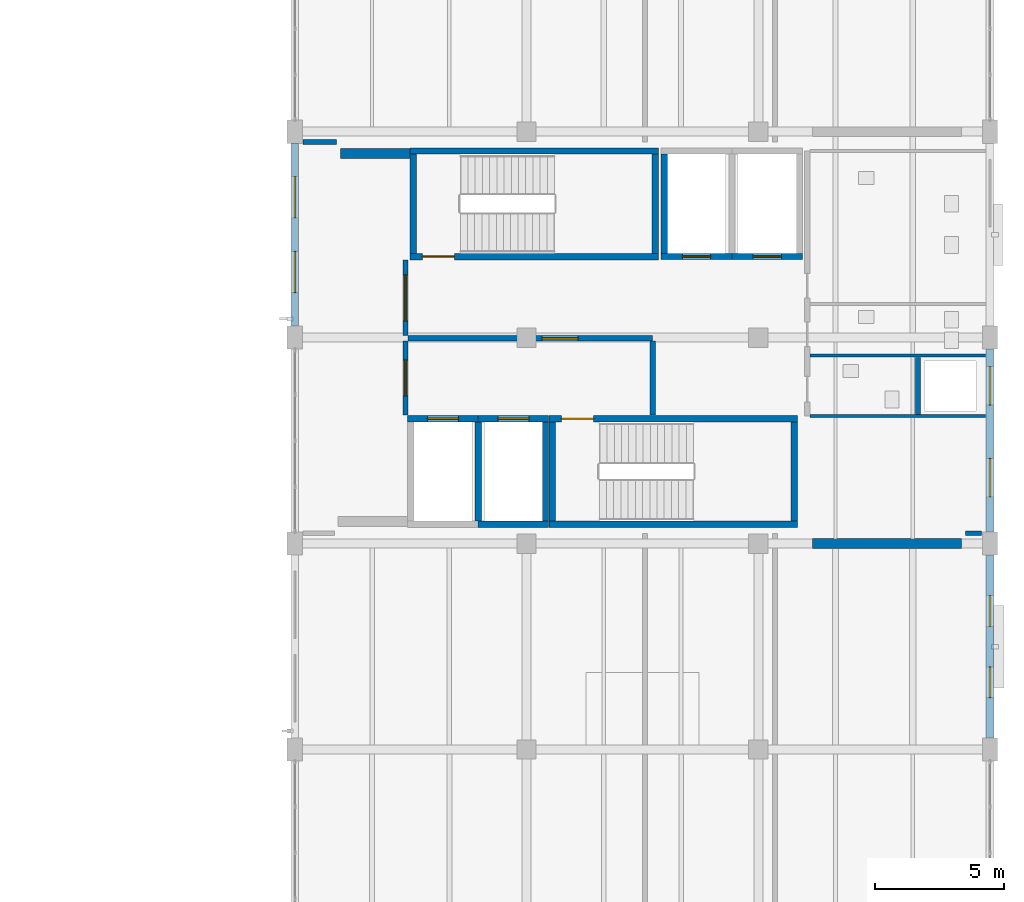
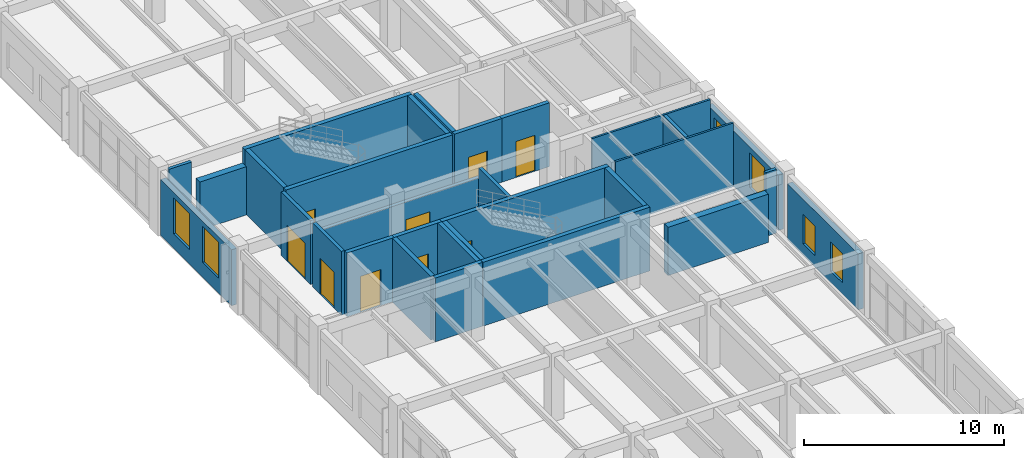
# One storey, part 112 of 128: 30 walls, 9 doors, 6 windows, 15 openings.
"""IFC4 building model written with IfcOpenShell, lengths in metres."""

import ifcopenshell
import ifcopenshell.guid

model = None  # the IFC model being written
_history = None  # IfcOwnerHistory: only IFC2X3 demands one
_inside = {}  # id of a spatial element -> (the spatial element, [elements in it])
_under = {}  # id of a project, library or spatial element -> (it, [spatial elements below it])
_declared = {}  # id of a project -> (the project, [libraries it declares])
_typed = {}  # id of a type object -> (the type object, [elements of that type])
_made_of = {}  # id of a material, layer set ... -> (it, [elements and type objects made of it])


def new_model(schema):
    """Start an empty IFC model of exactly this schema.

    Asked for "IFC4X3", IfcOpenShell would pick the latest addendum, in which some entities
    have other attributes; the version numbers below select the first issue.
    IFC2X3 requires an IfcOwnerHistory on every rooted entity: one is made here for all.
    """
    global model, _history
    if schema == "IFC4X3":
        model = ifcopenshell.file(schema_version=(4, 3, 0, 0))
    else:
        model = ifcopenshell.file(schema=schema)
    _inside.clear()
    _under.clear()
    _declared.clear()
    _typed.clear()
    _made_of.clear()
    _history = None
    if model.schema == "IFC2X3":
        org = make("IfcOrganization", Name="unknown")
        user = make(
            "IfcPersonAndOrganization",
            ThePerson=make("IfcPerson", FamilyName="unknown"),
            TheOrganization=org,
        )
        app = make(
            "IfcApplication",
            ApplicationDeveloper=org,
            Version="unknown",
            ApplicationFullName="unknown",
            ApplicationIdentifier="unknown",
        )
        _history = make(
            "IfcOwnerHistory",
            OwningUser=user,
            OwningApplication=app,
            ChangeAction="ADDED",
            CreationDate=0,
        )
    return model


def make(cls, **values):
    """One entity of the class cls with the attributes given. An attribute that is None is left unset."""
    return model.create_entity(
        cls, **{name: value for name, value in values.items() if value is not None}
    )


def rooted(cls, **values):
    """An entity with a GlobalId (a new one), such as an element, a storey or a relation."""
    return make(cls, GlobalId=ifcopenshell.guid.new(), OwnerHistory=_history, **values)


def si_unit(unit_type, name, prefix=None):
    """IfcSIUnit, for example si_unit("LENGTHUNIT", "METRE", prefix="MILLI")."""
    return make("IfcSIUnit", UnitType=unit_type, Prefix=prefix, Name=name)


def derived_unit(unit_type, elements):
    """IfcDerivedUnit: a product of units, each with its exponent."""
    return make(
        "IfcDerivedUnit",
        Elements=[
            make("IfcDerivedUnitElement", Unit=unit, Exponent=power)
            for unit, power in elements
        ],
        UnitType=unit_type,
    )


def assignment(units):
    """IfcUnitAssignment: the units of a project."""
    return None if units is None else make("IfcUnitAssignment", Units=units)


def point(xyz):
    """IfcCartesianPoint."""
    return None if xyz is None else make("IfcCartesianPoint", Coordinates=xyz)


def direction(xyz):
    """IfcDirection."""
    return None if xyz is None else make("IfcDirection", DirectionRatios=xyz)


def frame(location, z_axis=None, x_axis=None):
    """IfcAxis2Placement3D, a coordinate frame: its origin and axes. An axis left out is left unset."""
    return make(
        "IfcAxis2Placement3D",
        Location=point(location),
        Axis=direction(z_axis),
        RefDirection=direction(x_axis),
    )


def frame_2d(location, x_axis=None):
    """IfcAxis2Placement2D, a coordinate frame in the plane: its origin and x axis."""
    return make(
        "IfcAxis2Placement2D", Location=point(location), RefDirection=direction(x_axis)
    )


def origin():
    """The frame at (0, 0, 0) with its axes left unset."""
    return frame((0.0, 0.0, 0.0))


def place(relative_to, where):
    """IfcLocalPlacement: puts the frame where relative to a parent placement (None: the world)."""
    return make(
        "IfcLocalPlacement", PlacementRelTo=relative_to, RelativePlacement=where
    )


def context(
    kind, dimensions, precision=None, world=None, true_north=None, identifier=None
):
    """IfcGeometricRepresentationContext, for example the 3D "Model" context."""
    return make(
        "IfcGeometricRepresentationContext",
        ContextIdentifier=identifier,
        ContextType=kind,
        CoordinateSpaceDimension=dimensions,
        Precision=precision,
        WorldCoordinateSystem=world,
        TrueNorth=true_north,
    )


def subcontext(parent, identifier, kind, view, scale=None):
    """IfcGeometricRepresentationSubContext, for example "Body" below "Model"."""
    return make(
        "IfcGeometricRepresentationSubContext",
        ContextIdentifier=identifier,
        ContextType=kind,
        ParentContext=parent,
        TargetScale=scale,
        TargetView=view,
    )


def project(units=None, contexts=None):
    """IfcProject with its units and contexts."""
    return rooted(
        "IfcProject",
        Name="project",
        RepresentationContexts=contexts,
        UnitsInContext=assignment(units),
    )


def spatial(cls, under=None, at=None, **own):
    """A site, building, storey or space (cls), placed at a placement, below another one or the project."""
    s = rooted(cls, ObjectPlacement=at, **own)
    if under is not None:
        _under.setdefault(under.id(), (under, []))[1].append(s)
    return s


def profile(cls, at=None, kind="AREA", **sizes):
    """A parametric profile (cls). Its sizes go by their IFC names, for example OverallWidth=200.0."""
    return make(cls, ProfileType=kind, Position=at, **sizes)


def rectangle(**sizes):
    """IfcRectangleProfileDef."""
    return profile("IfcRectangleProfileDef", **sizes)


def extrude(swept, where, along, depth):
    """IfcExtrudedAreaSolid: the profile swept, set in the frame where, extruded along a direction by depth."""
    return make(
        "IfcExtrudedAreaSolid",
        SweptArea=swept,
        Position=where,
        ExtrudedDirection=direction(along),
        Depth=depth,
    )


def shape(context_of_items, identifier, shape_type, items):
    """IfcShapeRepresentation: the items that make up one representation, for example the "Body"."""
    return make(
        "IfcShapeRepresentation",
        ContextOfItems=context_of_items,
        RepresentationIdentifier=identifier,
        RepresentationType=shape_type,
        Items=items,
    )


def material(Name=None, Category=None):
    """IfcMaterial."""
    return make("IfcMaterial", Name=Name, Category=Category)


def layer(
    of_material, thickness, ventilated=None, Name=None, Category=None, Priority=None
):
    """IfcMaterialLayer: one layer of a wall or slab, of a material (None: an air gap)."""
    return make(
        "IfcMaterialLayer",
        Material=of_material,
        LayerThickness=thickness,
        IsVentilated=ventilated,
        Name=Name,
        Category=Category,
        Priority=Priority,
    )


def layer_set(layers, Name=None):
    """IfcMaterialLayerSet."""
    return make("IfcMaterialLayerSet", MaterialLayers=layers, LayerSetName=Name)


def made_of(thing, what):
    """Note that an element or type object is made of a material, layer set ...; save() writes the relation."""
    if what is not None:
        _made_of.setdefault(what.id(), (what, []))[1].append(thing)
    return thing


def type_object(cls, material=None, **own):
    """A type object (cls), such as IfcWallType, which elements share."""
    return made_of(rooted(cls, **own), material)


def element(
    cls,
    number,
    at=None,
    inside=None,
    cuts=None,
    type_object=None,
    material=None,
    context=None,
    identifier="Body",
    shape_type=None,
    held_by="IfcProductDefinitionShape",
    body=None,
    shapes=None,
    **own,
):
    """One element of the class cls, such as IfcWall. Its Tag is "e" and its number.

    at: its placement. inside: the storey or other place that contains it. cuts: it is an
    opening in that element (IfcRelVoidsElement). A single representation is given by context,
    identifier, shape_type and body (its items); several are given by shapes. held_by: the class
    of the entity that holds the representations. save() writes the other relations.
    """
    e = rooted(cls, Tag="e%d" % number, ObjectPlacement=at, **own)
    if body is not None:
        shapes = [shape(context, identifier, shape_type, body)]
    if shapes is not None:
        e.Representation = make(held_by, Representations=shapes)
    if inside is not None:
        _inside.setdefault(inside.id(), (inside, []))[1].append(e)
    if cuts is not None:
        rooted(
            "IfcRelVoidsElement", RelatingBuildingElement=cuts, RelatedOpeningElement=e
        )
    if type_object is not None:
        _typed.setdefault(type_object.id(), (type_object, []))[1].append(e)
    return made_of(e, material)


def fill(opening, filler):
    """IfcRelFillsElement: the door or window that sits in an opening."""
    return rooted(
        "IfcRelFillsElement",
        RelatingOpeningElement=opening,
        RelatedBuildingElement=filler,
    )


def aggregate(whole, parts):
    """IfcRelAggregates: a whole, such as a stair, and the parts it consists of."""
    return rooted("IfcRelAggregates", RelatingObject=whole, RelatedObjects=parts)


def save(model, path):
    """Write the relations noted so far, then the file.

    IfcRelAggregates (storeys below a building ...), IfcRelContainedInSpatialStructure (elements
    in a storey), IfcRelDefinesByType, IfcRelAssociatesMaterial and IfcRelDeclares: one each for
    every whole, place, type object, material and project.
    """
    for whole, parts in _under.values():
        aggregate(whole, parts)
    for where, things in _inside.values():
        rooted(
            "IfcRelContainedInSpatialStructure",
            RelatedElements=things,
            RelatingStructure=where,
        )
    for kind, things in _typed.values():
        rooted("IfcRelDefinesByType", RelatedObjects=things, RelatingType=kind)
    for what, things in _made_of.values():
        rooted("IfcRelAssociatesMaterial", RelatedObjects=things, RelatingMaterial=what)
    for by, libraries in _declared.values():
        rooted("IfcRelDeclares", RelatingContext=by, RelatedDefinitions=libraries)
    model.write(path)


model = new_model("IFC4")

# Units and contexts
model_context = context("Model", 3, precision=1e-05, world=origin(), true_north=direction((0.0, 1.0)))
body_context = subcontext(model_context, "Body", "Model", "MODEL_VIEW")
ifc_project = project(units=[si_unit("LENGTHUNIT", "METRE"), si_unit("AREAUNIT", "SQUARE_METRE"), si_unit("VOLUMEUNIT", "CUBIC_METRE"), si_unit("PLANEANGLEUNIT", "RADIAN"), si_unit("MASSUNIT", "GRAM", prefix="KILO"), derived_unit("THERMALTRANSMITTANCEUNIT", [(si_unit("MASSUNIT", "GRAM", prefix="KILO"), 1), (si_unit("TIMEUNIT", "SECOND"), -3), (si_unit("THERMODYNAMICTEMPERATUREUNIT", "KELVIN"), -1)])], contexts=[model_context])

# Site, building, storey
site_placement = place(None, origin())
site = spatial("IfcSite", under=ifc_project, at=site_placement, CompositionType="ELEMENT")
building_placement = place(site_placement, origin())
building = spatial("IfcBuilding", under=site, at=building_placement, Name="Zhenchuan Archway Interchange", CompositionType="ELEMENT")
storey_placement = place(building_placement, frame((0.0, 0.0, 14.39990234375)))
storey = spatial("IfcBuildingStorey", under=building, at=storey_placement, Name="L03", CompositionType="ELEMENT", Elevation=14.39990234375)

# Wall, openings, windows
ifc_material_1 = material(Name="Terracotta Masonry", Category="masonry")
ifc_layer_1 = layer(ifc_material_1, 0.300048828125)
ifc_layer_set_1 = layer_set([ifc_layer_1], Name="Terracotta Masonry")
wall_type_1 = type_object("IfcWallType", Name="EW_TERRA_300", PredefinedType="STANDARD", material=ifc_layer_set_1)
wall_1_placement = place(storey_placement, frame((144.0, 56.447998046875, 0.0), z_axis=(0.0, 0.0, 1.0), x_axis=(0.0, 1.0, 0.0)))
wall_1 = element("IfcWall", 1, at=wall_1_placement, inside=storey, type_object=wall_type_1, Name="Exterior wall L03-009", PredefinedType="STANDARD", context=body_context, shape_type="SweptSolid", body=[
    extrude(rectangle(XDim=7.10400390625, YDim=0.300048828125, at=frame_2d((3.552001953125, 0.0))), origin(), (0.0, 0.0, 1.0), 3.43017578125),
])
opening_1_placement = place(wall_1_placement, frame((1.30126953125, 0.0, 0.89990234375)))
opening_1 = element("IfcOpeningElement", 2, at=opening_1_placement, cuts=wall_1, Name="Opening W-04", PredefinedType="OPENING", context=body_context, shape_type="SweptSolid", body=[
    extrude(rectangle(XDim=1.60009765625, YDim=2.199951171875, at=frame_2d((0.800048828125, 1.10009765625))), frame((0.0, 0.162109375, 0.0), z_axis=(0.0, -1.0, 0.0), x_axis=(1.0, 0.0, 0.0)), (0.0, 0.0, 1.0), 0.323974609375),
])
opening_2_placement = place(wall_1_placement, frame((4.20263671875, 0.0, 0.89990234375)))
opening_2 = element("IfcOpeningElement", 3, at=opening_2_placement, cuts=wall_1, Name="Opening W-04", PredefinedType="OPENING", context=body_context, shape_type="SweptSolid", body=[
    extrude(rectangle(XDim=1.60009765625, YDim=2.199951171875, at=frame_2d((0.800048828125, 1.10009765625))), frame((0.0, 0.162109375, 0.0), z_axis=(0.0, -1.0, 0.0), x_axis=(1.0, 0.0, 0.0)), (0.0, 0.0, 1.0), 0.323974609375),
])
ifc_material_2 = material(Name="Double Low-E Insulated Glazing", Category="glass")
window_type_1 = type_object("IfcWindowType", Name="WN_PUNCH_1600x2200", PartitioningType="SINGLE_PANEL", PredefinedType="WINDOW", material=ifc_material_2)
window_1_placement = place(opening_1_placement, origin())
window_1 = element("IfcWindow", 4, at=window_1_placement, inside=storey, type_object=window_type_1, Name="Window L03-0272", OverallHeight=2.199951171875, OverallWidth=1.60009765625, PartitioningType="SINGLE_PANEL", PredefinedType="WINDOW", context=body_context, shape_type="SweptSolid", body=[
    extrude(rectangle(XDim=1.60009765625, YDim=2.199951171875, at=frame_2d((0.800048828125, 1.10009765625))), frame((0.0, 0.030029296875, 0.0), z_axis=(0.0, -1.0, 0.0), x_axis=(1.0, 0.0, 0.0)), (0.0, 0.0, 1.0), 0.06005859375),
])
fill(opening_1, window_1)
window_2_placement = place(opening_2_placement, origin())
window_2 = element("IfcWindow", 5, at=window_2_placement, inside=storey, type_object=window_type_1, Name="Window L03-0273", OverallHeight=2.199951171875, OverallWidth=1.60009765625, PartitioningType="SINGLE_PANEL", PredefinedType="WINDOW", context=body_context, shape_type="SweptSolid", body=[
    extrude(rectangle(XDim=1.60009765625, YDim=2.199951171875, at=frame_2d((0.800048828125, 1.10009765625))), frame((0.0, 0.030029296875, 0.0), z_axis=(0.0, -1.0, 0.0), x_axis=(1.0, 0.0, 0.0)), (0.0, 0.0, 1.0), 0.06005859375),
])
fill(opening_2, window_2)

wall_2_placement = place(storey_placement, frame((171.0, 55.552001953125, 0.0), z_axis=(0.0, 0.0, 1.0), x_axis=(0.0, -1.0, 0.0)))
wall_2 = element("IfcWall", 6, at=wall_2_placement, inside=storey, type_object=wall_type_1, Name="Exterior wall L03-032", PredefinedType="STANDARD", context=body_context, shape_type="SweptSolid", body=[
    extrude(rectangle(XDim=7.10400390625, YDim=0.300048828125, at=frame_2d((3.552001953125, 0.0))), origin(), (0.0, 0.0, 1.0), 3.380126953125),
])
opening_3_placement = place(wall_2_placement, frame((0.677001953125, 0.0, 0.89990234375)))
opening_3 = element("IfcOpeningElement", 7, at=opening_3_placement, cuts=wall_2, Name="Opening W-05", PredefinedType="OPENING", context=body_context, shape_type="SweptSolid", body=[
    extrude(rectangle(XDim=1.5, YDim=2.10009765625, at=frame_2d((0.75, 1.050048828125))), frame((0.0, 0.162109375, 0.0), z_axis=(0.0, -1.0, 0.0), x_axis=(1.0, 0.0, 0.0)), (0.0, 0.0, 1.0), 0.323974609375),
])
opening_4_placement = place(wall_2_placement, frame((4.236083984375, 0.0, 0.89990234375)))
opening_4 = element("IfcOpeningElement", 8, at=opening_4_placement, cuts=wall_2, Name="Opening W-05", PredefinedType="OPENING", context=body_context, shape_type="SweptSolid", body=[
    extrude(rectangle(XDim=1.5, YDim=2.10009765625, at=frame_2d((0.75, 1.050048828125))), frame((0.0, 0.162109375, 0.0), z_axis=(0.0, -1.0, 0.0), x_axis=(1.0, 0.0, 0.0)), (0.0, 0.0, 1.0), 0.323974609375),
])
window_type_2 = type_object("IfcWindowType", Name="WN_PUNCH_1500x2100", PartitioningType="SINGLE_PANEL", PredefinedType="WINDOW", material=ifc_material_2)
window_3_placement = place(opening_3_placement, origin())
window_3 = element("IfcWindow", 9, at=window_3_placement, inside=storey, type_object=window_type_2, Name="Window L03-0294", OverallHeight=2.10009765625, OverallWidth=1.5, PartitioningType="SINGLE_PANEL", PredefinedType="WINDOW", context=body_context, shape_type="SweptSolid", body=[
    extrude(rectangle(XDim=1.5, YDim=2.10009765625, at=frame_2d((0.75, 1.050048828125))), frame((0.0, 0.030029296875, 0.0), z_axis=(0.0, -1.0, 0.0), x_axis=(1.0, 0.0, 0.0)), (0.0, 0.0, 1.0), 0.06005859375),
])
fill(opening_3, window_3)
window_4_placement = place(opening_4_placement, origin())
window_4 = element("IfcWindow", 10, at=window_4_placement, inside=storey, type_object=window_type_2, Name="Window L03-0295", OverallHeight=2.10009765625, OverallWidth=1.5, PartitioningType="SINGLE_PANEL", PredefinedType="WINDOW", context=body_context, shape_type="SweptSolid", body=[
    extrude(rectangle(XDim=1.5, YDim=2.10009765625, at=frame_2d((0.75, 1.050048828125))), frame((0.0, 0.030029296875, 0.0), z_axis=(0.0, -1.0, 0.0), x_axis=(1.0, 0.0, 0.0)), (0.0, 0.0, 1.0), 0.06005859375),
])
fill(opening_4, window_4)

wall_3_placement = place(storey_placement, frame((171.0, 47.552001953125, 0.0), z_axis=(0.0, 0.0, 1.0), x_axis=(0.0, -1.0, 0.0)))
wall_3 = element("IfcWall", 11, at=wall_3_placement, inside=storey, type_object=wall_type_1, Name="Exterior wall L03-033", PredefinedType="STANDARD", context=body_context, shape_type="SweptSolid", body=[
    extrude(rectangle(XDim=7.10400390625, YDim=0.300048828125, at=frame_2d((3.552001953125, 0.0))), origin(), (0.0, 0.0, 1.0), 3.43017578125),
])
opening_5_placement = place(wall_3_placement, frame((1.568115234375, 0.0, 0.699951171875)))
opening_5 = element("IfcOpeningElement", 12, at=opening_5_placement, cuts=wall_3, Name="Opening W-07", PredefinedType="OPENING", context=body_context, shape_type="SweptSolid", body=[
    extrude(rectangle(XDim=1.199951171875, YDim=1.800048828125, at=frame_2d((0.60009765625, 0.89990234375))), frame((0.0, 0.162109375, 0.0), z_axis=(0.0, -1.0, 0.0), x_axis=(1.0, 0.0, 0.0)), (0.0, 0.0, 1.0), 0.323974609375),
])
opening_6_placement = place(wall_3_placement, frame((4.3359375, 0.0, 0.699951171875)))
opening_6 = element("IfcOpeningElement", 13, at=opening_6_placement, cuts=wall_3, Name="Opening W-07", PredefinedType="OPENING", context=body_context, shape_type="SweptSolid", body=[
    extrude(rectangle(XDim=1.199951171875, YDim=1.800048828125, at=frame_2d((0.60009765625, 0.89990234375))), frame((0.0, 0.162109375, 0.0), z_axis=(0.0, -1.0, 0.0), x_axis=(1.0, 0.0, 0.0)), (0.0, 0.0, 1.0), 0.323974609375),
])
window_type_3 = type_object("IfcWindowType", Name="WN_MOD_1200x1800", PartitioningType="SINGLE_PANEL", PredefinedType="WINDOW", material=ifc_material_2)
window_5_placement = place(opening_5_placement, origin())
window_5 = element("IfcWindow", 14, at=window_5_placement, inside=storey, type_object=window_type_3, Name="Window L03-0296", OverallHeight=1.800048828125, OverallWidth=1.199951171875, PartitioningType="SINGLE_PANEL", PredefinedType="WINDOW", context=body_context, shape_type="SweptSolid", body=[
    extrude(rectangle(XDim=1.199951171875, YDim=1.800048828125, at=frame_2d((0.60009765625, 0.89990234375))), frame((0.0, 0.030029296875, 0.0), z_axis=(0.0, -1.0, 0.0), x_axis=(1.0, 0.0, 0.0)), (0.0, 0.0, 1.0), 0.06005859375),
])
fill(opening_5, window_5)
window_6_placement = place(opening_6_placement, origin())
window_6 = element("IfcWindow", 15, at=window_6_placement, inside=storey, type_object=window_type_3, Name="Window L03-0297", OverallHeight=1.800048828125, OverallWidth=1.199951171875, PartitioningType="SINGLE_PANEL", PredefinedType="WINDOW", context=body_context, shape_type="SweptSolid", body=[
    extrude(rectangle(XDim=1.199951171875, YDim=1.800048828125, at=frame_2d((0.60009765625, 0.89990234375))), frame((0.0, 0.030029296875, 0.0), z_axis=(0.0, -1.0, 0.0), x_axis=(1.0, 0.0, 0.0)), (0.0, 0.0, 1.0), 0.06005859375),
])
fill(opening_6, window_6)

# Walls
ifc_material_3 = material(Name="Concrete C50", Category="concrete")
ifc_layer_2 = layer(ifc_material_3, 0.3798828125)
ifc_layer_set_2 = layer_set([ifc_layer_2], Name="Concrete C50")
wall_type_2 = type_object("IfcWallType", Name="WL_CORE_380", PredefinedType="SHEAR", material=ifc_layer_set_2)
wall_4_placement = place(storey_placement, frame((145.77490234375, 63.14990234375, 0.0), z_axis=(0.0, 0.0, 1.0), x_axis=(1.0, 0.0, 0.0)))
element("IfcWall", 16, at=wall_4_placement, inside=storey, type_object=wall_type_2, Name="Operations lateral shear wall W-N (L03)", PredefinedType="SHEAR", context=body_context, shape_type="SweptSolid", body=[
    extrude(rectangle(XDim=2.7001953125, YDim=0.3798828125, at=frame_2d((1.35009765625, 0.0))), origin(), (0.0, 0.0, 1.0), 2.9501953125),
])
wall_5_placement = place(storey_placement, frame((164.10009765625, 48.0, 0.0), z_axis=(0.0, 0.0, 1.0), x_axis=(1.0, 0.0, 0.0)))
element("IfcWall", 17, at=wall_5_placement, inside=storey, type_object=wall_type_2, Name="Operations lateral shear wall E-S (L03)", PredefinedType="SHEAR", context=body_context, shape_type="SweptSolid", body=[
    extrude(rectangle(XDim=5.7998046875, YDim=0.3798828125, at=frame_2d((2.89990234375, 0.0))), origin(), (0.0, 0.0, 1.0), 2.9501953125),
])

# Wall, opening, door
ifc_material_4 = material(Name="Autoclaved Aerated Concrete Block", Category="concrete")
ifc_layer_3 = layer(ifc_material_4, 0.199951171875)
ifc_layer_set_3 = layer_set([ifc_layer_3], Name="Autoclaved Aerated Concrete Block")
wall_type_3 = type_object("IfcWallType", Name="WL_FIRE_200", PredefinedType="STANDARD", material=ifc_layer_set_3)
wall_6_placement = place(storey_placement, frame((148.39990234375, 55.97998046875, 0.0), z_axis=(0.0, 0.0, 1.0), x_axis=(1.0, 0.0, 0.0)))
wall_6 = element("IfcWall", 18, at=wall_6_placement, inside=storey, type_object=wall_type_3, Name="Firefighting lift lobby smoke divider (L03)", PredefinedType="STANDARD", context=body_context, shape_type="SweptSolid", body=[
    extrude(rectangle(XDim=9.5, YDim=0.199951171875, at=frame_2d((4.75, 0.0))), origin(), (0.0, 0.0, 1.0), 3.280029296875),
])
opening_7_placement = place(wall_6_placement, frame((5.199951171875, 0.0, 0.0)))
opening_7 = element("IfcOpeningElement", 19, at=opening_7_placement, cuts=wall_6, Name="Opening FD-04", PredefinedType="OPENING", context=body_context, shape_type="SweptSolid", body=[
    extrude(rectangle(XDim=1.39990234375, YDim=2.199951171875, at=frame_2d((0.699951171875, 1.10009765625))), frame((0.0, 0.11181640625, 0.0), z_axis=(0.0, -1.0, 0.0), x_axis=(1.0, 0.0, 0.0)), (0.0, 0.0, 1.0), 0.223876953125),
])
ifc_material_5 = material(Name="Painted Galvanised Steel", Category="steel")
door_type_1 = type_object("IfcDoorType", Name="DR_LOB_FD60", OperationType="DOUBLE_DOOR_SINGLE_SWING", PredefinedType="DOOR", material=ifc_material_5)
door_1_placement = place(opening_7_placement, origin())
door_1 = element("IfcDoor", 20, at=door_1_placement, inside=storey, type_object=door_type_1, Name="Firefighting to passenger lobby smoke door (L03)", OperationType="DOUBLE_DOOR_SINGLE_SWING", OverallHeight=2.199951171875, OverallWidth=1.39990234375, PredefinedType="DOOR", context=body_context, shape_type="SweptSolid", body=[
    extrude(rectangle(XDim=1.39990234375, YDim=2.199951171875, at=frame_2d((0.699951171875, 1.10009765625))), frame((0.0, 0.02490234375, 0.0), z_axis=(0.0, -1.0, 0.0), x_axis=(1.0, 0.0, 0.0)), (0.0, 0.0, 1.0), 0.050048828125),
])
fill(opening_7, door_1)

# Wall
wall_7_placement = place(storey_placement, frame((157.89990234375, 52.989990234375, 0.0), z_axis=(0.0, 0.0, 1.0), x_axis=(0.0, 1.0, 0.0)))
element("IfcWall", 21, at=wall_7_placement, inside=storey, type_object=wall_type_3, Name="Firefighting lift lobby east fire wall (L03)", PredefinedType="STANDARD", context=body_context, shape_type="SweptSolid", body=[
    extrude(rectangle(XDim=2.880126953125, YDim=0.199951171875, at=frame_2d((1.43994140625, 0.0))), origin(), (0.0, 0.0, 1.0), 3.900146484375),
])

# Wall, opening, door
wall_8_placement = place(storey_placement, frame((148.300048828125, 52.989990234375, 0.0), z_axis=(0.0, 0.0, 1.0), x_axis=(0.0, 1.0, 0.0)))
wall_8 = element("IfcWall", 22, at=wall_8_placement, inside=storey, type_object=wall_type_3, Name="Firefighting lift lobby west fire wall (L03)", PredefinedType="STANDARD", context=body_context, shape_type="SweptSolid", body=[
    extrude(rectangle(XDim=2.880126953125, YDim=0.199951171875, at=frame_2d((1.43994140625, 0.0))), origin(), (0.0, 0.0, 1.0), 3.900146484375),
])
opening_8_placement = place(wall_8_placement, frame((0.75, 0.0, 0.0)))
opening_8 = element("IfcOpeningElement", 23, at=opening_8_placement, cuts=wall_8, Name="Opening FD-04", PredefinedType="OPENING", context=body_context, shape_type="SweptSolid", body=[
    extrude(rectangle(XDim=1.39990234375, YDim=2.199951171875, at=frame_2d((0.699951171875, 1.10009765625))), frame((0.0, 0.11181640625, 0.0), z_axis=(0.0, -1.0, 0.0), x_axis=(1.0, 0.0, 0.0)), (0.0, 0.0, 1.0), 0.223876953125),
])
door_2_placement = place(opening_8_placement, origin())
door_2 = element("IfcDoor", 24, at=door_2_placement, inside=storey, type_object=door_type_1, Name="Firefighting lift lobby corridor fire door (L03)", OperationType="DOUBLE_DOOR_SINGLE_SWING", OverallHeight=2.199951171875, OverallWidth=1.39990234375, PredefinedType="DOOR", context=body_context, shape_type="SweptSolid", body=[
    extrude(rectangle(XDim=1.39990234375, YDim=2.199951171875, at=frame_2d((0.699951171875, 1.10009765625))), frame((0.0, 0.02490234375, 0.0), z_axis=(0.0, -1.0, 0.0), x_axis=(1.0, 0.0, 0.0)), (0.0, 0.0, 1.0), 0.050048828125),
])
fill(opening_8, door_2)

wall_9_placement = place(storey_placement, frame((148.300048828125, 56.090087890625, 0.0), z_axis=(0.0, 0.0, 1.0), x_axis=(0.0, 1.0, 0.0)))
wall_9 = element("IfcWall", 25, at=wall_9_placement, inside=storey, type_object=wall_type_3, Name="Passenger lift lobby west fire wall (L03)", PredefinedType="STANDARD", context=body_context, shape_type="SweptSolid", body=[
    extrude(rectangle(XDim=2.919921875, YDim=0.199951171875, at=frame_2d((1.4599609375, 0.0))), origin(), (0.0, 0.0, 1.0), 3.900146484375),
])
opening_9_placement = place(wall_9_placement, frame((0.550048828125, 0.0, 0.0)))
opening_9 = element("IfcOpeningElement", 26, at=opening_9_placement, cuts=wall_9, Name="Opening ID-01", PredefinedType="OPENING", context=body_context, shape_type="SweptSolid", body=[
    extrude(rectangle(XDim=1.800048828125, YDim=2.199951171875, at=frame_2d((0.89990234375, 1.10009765625))), frame((0.0, 0.11181640625, 0.0), z_axis=(0.0, -1.0, 0.0), x_axis=(1.0, 0.0, 0.0)), (0.0, 0.0, 1.0), 0.223876953125),
])
ifc_material_6 = material(Name="Anodised Aluminium", Category="aluminium")
door_type_2 = type_object("IfcDoorType", Name="DR_LOBBY_DBL", OperationType="DOUBLE_DOOR_SINGLE_SWING", PredefinedType="DOOR", material=ifc_material_6)
door_3_placement = place(opening_9_placement, origin())
door_3 = element("IfcDoor", 27, at=door_3_placement, inside=storey, type_object=door_type_2, Name="Passenger lift lobby entrance door (L03)", OperationType="DOUBLE_DOOR_SINGLE_SWING", OverallHeight=2.199951171875, OverallWidth=1.800048828125, PredefinedType="DOOR", context=body_context, shape_type="SweptSolid", body=[
    extrude(rectangle(XDim=1.800048828125, YDim=2.199951171875, at=frame_2d((0.89990234375, 1.10009765625))), frame((0.0, 0.02490234375, 0.0), z_axis=(0.0, -1.0, 0.0), x_axis=(1.0, 0.0, 0.0)), (0.0, 0.0, 1.0), 0.050048828125),
])
fill(opening_9, door_3)

# Wall
wall_10_placement = place(storey_placement, frame((168.199951171875, 53.02001953125, 0.0), z_axis=(0.0, 0.0, 1.0), x_axis=(0.0, 1.0, 0.0)))
element("IfcWall", 28, at=wall_10_placement, inside=storey, type_object=wall_type_3, Name="MEP riser west fire wall (L03)", PredefinedType="STANDARD", context=body_context, shape_type="SweptSolid", body=[
    extrude(rectangle(XDim=2.2099609375, YDim=0.199951171875, at=frame_2d((1.10498046875, 0.0))), origin(), (0.0, 0.0, 1.0), 3.900146484375),
])

# Wall, opening, door
ifc_material_7 = material(Name="Concrete C40", Category="concrete")
ifc_layer_4 = layer(ifc_material_7, 0.239990234375)
ifc_layer_set_4 = layer_set([ifc_layer_4], Name="Concrete C40")
wall_type_4 = type_object("IfcWallType", Name="WL_LIFT_240", PredefinedType="SHEAR", material=ifc_layer_set_4)
wall_11_placement = place(storey_placement, frame((158.22998046875, 59.14990234375, 0.0), z_axis=(0.0, 0.0, 1.0), x_axis=(1.0, 0.0, 0.0)))
wall_11 = element("IfcWall", 29, at=wall_11_placement, inside=storey, type_object=wall_type_4, Name="Lift LF-06 south shaft wall (L03)", PredefinedType="SHEAR", context=body_context, shape_type="SweptSolid", body=[
    extrude(rectangle(XDim=2.7451171875, YDim=0.239990234375, at=frame_2d((1.37255859375, 0.0))), origin(), (0.0, 0.0, 1.0), 3.900146484375),
])
opening_10_placement = place(wall_11_placement, frame((0.820068359375, 0.0, 0.0)))
opening_10 = element("IfcOpeningElement", 30, at=opening_10_placement, cuts=wall_11, Name="Opening LD-01", PredefinedType="OPENING", context=body_context, shape_type="SweptSolid", body=[
    extrude(rectangle(XDim=1.10009765625, YDim=2.199951171875, at=frame_2d((0.550048828125, 1.10009765625))), frame((0.0, 0.1318359375, 0.0), z_axis=(0.0, -1.0, 0.0), x_axis=(1.0, 0.0, 0.0)), (0.0, 0.0, 1.0), 0.263916015625),
])
ifc_material_8 = material(Name="Stainless Steel 304", Category="steel")
door_type_3 = type_object("IfcDoorType", Name="DR_LIFT_LD110", OperationType="DOUBLE_DOOR_SLIDING", PredefinedType="DOOR", material=ifc_material_8)
door_4_placement = place(opening_10_placement, origin())
door_4 = element("IfcDoor", 31, at=door_4_placement, inside=storey, type_object=door_type_3, Name="Lift LF-06 landing door (L03)", OperationType="DOUBLE_DOOR_SLIDING", OverallHeight=2.199951171875, OverallWidth=1.10009765625, PredefinedType="DOOR", context=body_context, shape_type="SweptSolid", body=[
    extrude(rectangle(XDim=1.10009765625, YDim=2.199951171875, at=frame_2d((0.550048828125, 1.10009765625))), frame((0.0, 0.02490234375, 0.0), z_axis=(0.0, -1.0, 0.0), x_axis=(1.0, 0.0, 0.0)), (0.0, 0.0, 1.0), 0.050048828125),
])
fill(opening_10, door_4)

# Wall
wall_12_placement = place(storey_placement, frame((158.35009765625, 63.1298828125, 0.0), z_axis=(0.0, 0.0, 1.0), x_axis=(0.0, -1.0, 0.0)))
element("IfcWall", 32, at=wall_12_placement, inside=storey, type_object=wall_type_4, Name="Lift LF-06 west shaft wall (L03)", PredefinedType="SHEAR", context=body_context, shape_type="SweptSolid", body=[
    extrude(rectangle(XDim=3.85986328125, YDim=0.239990234375, at=frame_2d((1.929931640625, 0.0))), origin(), (0.0, 0.0, 1.0), 3.900146484375),
])

# Wall, opening, door
wall_13_placement = place(storey_placement, frame((160.97509765625, 59.14990234375, 0.0), z_axis=(0.0, 0.0, 1.0), x_axis=(1.0, 0.0, 0.0)))
wall_13 = element("IfcWall", 33, at=wall_13_placement, inside=storey, type_object=wall_type_4, Name="Lift LF-07 south shaft wall (L03)", PredefinedType="SHEAR", context=body_context, shape_type="SweptSolid", body=[
    extrude(rectangle(XDim=2.744873046875, YDim=0.239990234375, at=frame_2d((1.37255859375, 0.0))), origin(), (0.0, 0.0, 1.0), 3.900146484375),
])
opening_11_placement = place(wall_13_placement, frame((0.824951171875, 0.0, 0.0)))
opening_11 = element("IfcOpeningElement", 34, at=opening_11_placement, cuts=wall_13, Name="Opening LD-01", PredefinedType="OPENING", context=body_context, shape_type="SweptSolid", body=[
    extrude(rectangle(XDim=1.10009765625, YDim=2.199951171875, at=frame_2d((0.550048828125, 1.10009765625))), frame((0.0, 0.1318359375, 0.0), z_axis=(0.0, -1.0, 0.0), x_axis=(1.0, 0.0, 0.0)), (0.0, 0.0, 1.0), 0.263916015625),
])
door_5_placement = place(opening_11_placement, origin())
door_5 = element("IfcDoor", 35, at=door_5_placement, inside=storey, type_object=door_type_3, Name="Lift LF-07 landing door (L03)", OperationType="DOUBLE_DOOR_SLIDING", OverallHeight=2.199951171875, OverallWidth=1.10009765625, PredefinedType="DOOR", context=body_context, shape_type="SweptSolid", body=[
    extrude(rectangle(XDim=1.10009765625, YDim=2.199951171875, at=frame_2d((0.550048828125, 1.10009765625))), frame((0.0, 0.02490234375, 0.0), z_axis=(0.0, -1.0, 0.0), x_axis=(1.0, 0.0, 0.0)), (0.0, 0.0, 1.0), 0.050048828125),
])
fill(opening_11, door_5)

wall_14_placement = place(storey_placement, frame((151.1201171875, 52.85009765625, 0.0), z_axis=(0.0, 0.0, 1.0), x_axis=(-1.0, 0.0, 0.0)))
wall_14 = element("IfcWall", 36, at=wall_14_placement, inside=storey, type_object=wall_type_4, Name="Lift LF-08 north shaft wall (L03)", PredefinedType="SHEAR", context=body_context, shape_type="SweptSolid", body=[
    extrude(rectangle(XDim=2.740234375, YDim=0.239990234375, at=frame_2d((1.3701171875, 0.0))), origin(), (0.0, 0.0, 1.0), 3.900146484375),
])
opening_12_placement = place(wall_14_placement, frame((0.77001953125, 0.0, 0.0)))
opening_12 = element("IfcOpeningElement", 37, at=opening_12_placement, cuts=wall_14, Name="Opening LD-02", PredefinedType="OPENING", context=body_context, shape_type="SweptSolid", body=[
    extrude(rectangle(XDim=1.199951171875, YDim=2.199951171875, at=frame_2d((0.60009765625, 1.10009765625))), frame((0.0, 0.1318359375, 0.0), z_axis=(0.0, -1.0, 0.0), x_axis=(1.0, 0.0, 0.0)), (0.0, 0.0, 1.0), 0.263916015625),
])
door_type_4 = type_object("IfcDoorType", Name="DR_LIFT_LD120", OperationType="DOUBLE_DOOR_SLIDING", PredefinedType="DOOR", material=ifc_material_8)
door_6_placement = place(opening_12_placement, origin())
door_6 = element("IfcDoor", 38, at=door_6_placement, inside=storey, type_object=door_type_4, Name="Lift LF-08 landing door (L03)", OperationType="DOUBLE_DOOR_SLIDING", OverallHeight=2.199951171875, OverallWidth=1.199951171875, PredefinedType="DOOR", context=body_context, shape_type="SweptSolid", body=[
    extrude(rectangle(XDim=1.199951171875, YDim=2.199951171875, at=frame_2d((0.60009765625, 1.10009765625))), frame((0.0, 0.02490234375, 0.0), z_axis=(0.0, -1.0, 0.0), x_axis=(1.0, 0.0, 0.0)), (0.0, 0.0, 1.0), 0.050048828125),
])
fill(opening_12, door_6)

# Walls
wall_15_placement = place(storey_placement, frame((151.1201171875, 48.8701171875, 0.0), z_axis=(0.0, 0.0, 1.0), x_axis=(0.0, 1.0, 0.0)))
element("IfcWall", 39, at=wall_15_placement, inside=storey, type_object=wall_type_4, Name="Lift LF-08 east shaft wall (L03)", PredefinedType="SHEAR", context=body_context, shape_type="SweptSolid", body=[
    extrude(rectangle(XDim=3.85986328125, YDim=0.239990234375, at=frame_2d((1.929931640625, 0.0))), origin(), (0.0, 0.0, 1.0), 3.900146484375),
])
wall_16_placement = place(storey_placement, frame((151.1201171875, 48.75, 0.0), z_axis=(0.0, 0.0, 1.0), x_axis=(1.0, 0.0, 0.0)))
element("IfcWall", 40, at=wall_16_placement, inside=storey, type_object=wall_type_4, Name="Lift LF-09 south shaft wall (L03)", PredefinedType="SHEAR", context=body_context, shape_type="SweptSolid", body=[
    extrude(rectangle(XDim=2.739990234375, YDim=0.239990234375, at=frame_2d((1.3701171875, 0.0))), origin(), (0.0, 0.0, 1.0), 3.900146484375),
])

# Wall, opening, door
wall_17_placement = place(storey_placement, frame((153.860107421875, 52.85009765625, 0.0), z_axis=(0.0, 0.0, 1.0), x_axis=(-1.0, 0.0, 0.0)))
wall_17 = element("IfcWall", 41, at=wall_17_placement, inside=storey, type_object=wall_type_4, Name="Lift LF-09 north shaft wall (L03)", PredefinedType="SHEAR", context=body_context, shape_type="SweptSolid", body=[
    extrude(rectangle(XDim=2.739990234375, YDim=0.239990234375, at=frame_2d((1.3701171875, 0.0))), origin(), (0.0, 0.0, 1.0), 3.900146484375),
])
opening_13_placement = place(wall_17_placement, frame((0.77001953125, 0.0, 0.0)))
opening_13 = element("IfcOpeningElement", 42, at=opening_13_placement, cuts=wall_17, Name="Opening LD-02", PredefinedType="OPENING", context=body_context, shape_type="SweptSolid", body=[
    extrude(rectangle(XDim=1.199951171875, YDim=2.199951171875, at=frame_2d((0.60009765625, 1.10009765625))), frame((0.0, 0.1318359375, 0.0), z_axis=(0.0, -1.0, 0.0), x_axis=(1.0, 0.0, 0.0)), (0.0, 0.0, 1.0), 0.263916015625),
])
door_7_placement = place(opening_13_placement, origin())
door_7 = element("IfcDoor", 43, at=door_7_placement, inside=storey, type_object=door_type_4, Name="Lift LF-09 landing door (L03)", OperationType="DOUBLE_DOOR_SLIDING", OverallHeight=2.199951171875, OverallWidth=1.199951171875, PredefinedType="DOOR", context=body_context, shape_type="SweptSolid", body=[
    extrude(rectangle(XDim=1.199951171875, YDim=2.199951171875, at=frame_2d((0.60009765625, 1.10009765625))), frame((0.0, 0.02490234375, 0.0), z_axis=(0.0, -1.0, 0.0), x_axis=(1.0, 0.0, 0.0)), (0.0, 0.0, 1.0), 0.050048828125),
])
fill(opening_13, door_7)

# Walls
wall_18_placement = place(storey_placement, frame((153.739990234375, 48.8701171875, 0.0), z_axis=(0.0, 0.0, 1.0), x_axis=(0.0, 1.0, 0.0)))
element("IfcWall", 44, at=wall_18_placement, inside=storey, type_object=wall_type_4, Name="Lift LF-09 east shaft wall (L03)", PredefinedType="SHEAR", context=body_context, shape_type="SweptSolid", body=[
    extrude(rectangle(XDim=3.85986328125, YDim=0.239990234375, at=frame_2d((1.929931640625, 0.0))), origin(), (0.0, 0.0, 1.0), 3.900146484375),
])
ifc_material_9 = material(Name="Concrete Block Masonry", Category="masonry")
ifc_layer_5 = layer(ifc_material_9, 0.179931640625)
ifc_layer_set_5 = layer_set([ifc_layer_5], Name="Concrete Block Masonry")
wall_type_5 = type_object("IfcWallType", Name="WL_PART_180", PredefinedType="STANDARD", material=ifc_layer_set_5)
wall_19_placement = place(storey_placement, frame((170.050048828125, 48.39990234375, 0.0), z_axis=(0.0, 0.0, 1.0), x_axis=(1.0, 0.0, 0.0)))
element("IfcWall", 45, at=wall_19_placement, inside=storey, type_object=wall_type_5, Name="Traction Power SCADA Control Room N partition (L03)", PredefinedType="STANDARD", context=body_context, shape_type="SweptSolid", body=[
    extrude(rectangle(XDim=0.625, YDim=0.179931640625, at=frame_2d((0.3125, 0.0))), origin(), (0.0, 0.0, 1.0), 3.900146484375),
])
wall_20_placement = place(storey_placement, frame((144.324951171875, 63.60009765625, 0.0), z_axis=(0.0, 0.0, 1.0), x_axis=(1.0, 0.0, 0.0)))
element("IfcWall", 46, at=wall_20_placement, inside=storey, type_object=wall_type_5, Name="Shift Controllers Quiet Recovery Lounge S partition (L03)", PredefinedType="STANDARD", context=body_context, shape_type="SweptSolid", body=[
    extrude(rectangle(XDim=1.300048828125, YDim=0.179931640625, at=frame_2d((0.64990234375, 0.0))), origin(), (0.0, 0.0, 1.0), 3.900146484375),
])

# Wall, opening, door
ifc_layer_6 = layer(ifc_material_7, 0.25)
ifc_layer_set_6 = layer_set([ifc_layer_6], Name="Concrete C40")
wall_type_6 = type_object("IfcWallType", Name="WL_STAIR_250", PredefinedType="SHEAR", material=ifc_layer_set_6)
wall_21_placement = place(storey_placement, frame((148.47509765625, 59.14990234375, 0.0), z_axis=(0.0, 0.0, 1.0), x_axis=(1.0, 0.0, 0.0)))
wall_21 = element("IfcWall", 47, at=wall_21_placement, inside=storey, type_object=wall_type_6, Name="Stair ST-O1 south wall (L03)", PredefinedType="SHEAR", context=body_context, shape_type="SweptSolid", body=[
    extrude(rectangle(XDim=9.64990234375, YDim=0.25, at=frame_2d((4.824951171875, 0.0))), origin(), (0.0, 0.0, 1.0), 3.900146484375),
])
opening_14_placement = place(wall_21_placement, frame((0.47509765625, 0.0, 0.0)))
opening_14 = element("IfcOpeningElement", 48, at=opening_14_placement, cuts=wall_21, Name="Opening FD-01", PredefinedType="OPENING", context=body_context, shape_type="SweptSolid", body=[
    extrude(rectangle(XDim=1.25, YDim=2.14990234375, at=frame_2d((0.625, 1.074951171875))), frame((0.0, 0.136962890625, 0.0), z_axis=(0.0, -1.0, 0.0), x_axis=(1.0, 0.0, 0.0)), (0.0, 0.0, 1.0), 0.27392578125),
])
door_type_5 = type_object("IfcDoorType", Name="DR_STAIR_FD90", OperationType="NOTDEFINED", PredefinedType="DOOR", material=ifc_material_5)
door_8_placement = place(opening_14_placement, origin())
door_8 = element("IfcDoor", 49, at=door_8_placement, inside=storey, type_object=door_type_5, Name="Stair ST-O1 fire door (L03)", OperationType="SINGLE_SWING_RIGHT", OverallHeight=2.14990234375, OverallWidth=1.25, PredefinedType="DOOR", context=body_context, shape_type="SweptSolid", body=[
    extrude(rectangle(XDim=1.25, YDim=2.14990234375, at=frame_2d((0.625, 1.074951171875))), frame((0.0, 0.02490234375, 0.0), z_axis=(0.0, -1.0, 0.0), x_axis=(1.0, 0.0, 0.0)), (0.0, 0.0, 1.0), 0.050048828125),
])
fill(opening_14, door_8)

# Walls
wall_22_placement = place(storey_placement, frame((158.125, 63.25, 0.0), z_axis=(0.0, 0.0, 1.0), x_axis=(-1.0, 0.0, 0.0)))
element("IfcWall", 50, at=wall_22_placement, inside=storey, type_object=wall_type_6, Name="Stair ST-O1 north wall (L03)", PredefinedType="SHEAR", context=body_context, shape_type="SweptSolid", body=[
    extrude(rectangle(XDim=9.64990234375, YDim=0.25, at=frame_2d((4.824951171875, 0.0))), origin(), (0.0, 0.0, 1.0), 3.900146484375),
])
for number, where, z_axis, x_axis, name in (
    (51, (148.60009765625, 63.125, 0.0), (0.0, 0.0, 1.0), (0.0, -1.0, 0.0), "Stair ST-O1 west wall (L03)"),
    (52, (158.0, 59.27490234375, 0.0), (0.0, 0.0, 1.0), (0.0, 1.0, 0.0), "Stair ST-O1 east wall (L03)"),
):
    element("IfcWall", number, at=place(storey_placement, frame(where, z_axis=z_axis, x_axis=x_axis)), inside=storey, type_object=wall_type_6, Name=name, PredefinedType="SHEAR", context=body_context, shape_type="SweptSolid", body=[
        extrude(rectangle(XDim=3.85009765625, YDim=0.25, at=frame_2d((1.925048828125, 0.0))), origin(), (0.0, 0.0, 1.0), 3.900146484375),
    ])
wall_23_placement = place(storey_placement, frame((153.875, 48.75, 0.0), z_axis=(0.0, 0.0, 1.0), x_axis=(1.0, 0.0, 0.0)))
element("IfcWall", 53, at=wall_23_placement, inside=storey, type_object=wall_type_6, Name="Stair ST-O2 south wall (L03)", PredefinedType="SHEAR", context=body_context, shape_type="SweptSolid", body=[
    extrude(rectangle(XDim=9.64990234375, YDim=0.25, at=frame_2d((4.824951171875, 0.0))), origin(), (0.0, 0.0, 1.0), 3.900146484375),
])

# Wall, opening, door
wall_24_placement = place(storey_placement, frame((163.52490234375, 52.85009765625, 0.0), z_axis=(0.0, 0.0, 1.0), x_axis=(-1.0, 0.0, 0.0)))
wall_24 = element("IfcWall", 54, at=wall_24_placement, inside=storey, type_object=wall_type_6, Name="Stair ST-O2 north wall (L03)", PredefinedType="SHEAR", context=body_context, shape_type="SweptSolid", body=[
    extrude(rectangle(XDim=9.64990234375, YDim=0.25, at=frame_2d((4.824951171875, 0.0))), origin(), (0.0, 0.0, 1.0), 3.900146484375),
])
opening_15_placement = place(wall_24_placement, frame((7.925048828125, 0.0, 0.0)))
opening_15 = element("IfcOpeningElement", 55, at=opening_15_placement, cuts=wall_24, Name="Opening FD-01", PredefinedType="OPENING", context=body_context, shape_type="SweptSolid", body=[
    extrude(rectangle(XDim=1.25, YDim=2.14990234375, at=frame_2d((0.625, 1.074951171875))), frame((0.0, 0.136962890625, 0.0), z_axis=(0.0, -1.0, 0.0), x_axis=(1.0, 0.0, 0.0)), (0.0, 0.0, 1.0), 0.27392578125),
])
door_9_placement = place(opening_15_placement, origin())
door_9 = element("IfcDoor", 56, at=door_9_placement, inside=storey, type_object=door_type_5, Name="Stair ST-O2 fire door (L03)", OperationType="SINGLE_SWING_LEFT", OverallHeight=2.14990234375, OverallWidth=1.25, PredefinedType="DOOR", context=body_context, shape_type="SweptSolid", body=[
    extrude(rectangle(XDim=1.25, YDim=2.14990234375, at=frame_2d((0.625, 1.074951171875))), frame((0.0, 0.02490234375, 0.0), z_axis=(0.0, -1.0, 0.0), x_axis=(1.0, 0.0, 0.0)), (0.0, 0.0, 1.0), 0.050048828125),
])
fill(opening_15, door_9)

# Walls
for number, where, z_axis, x_axis, name in (
    (57, (154.0, 52.72509765625, 0.0), (0.0, 0.0, 1.0), (0.0, -1.0, 0.0), "Stair ST-O2 west wall (L03)"),
    (58, (163.39990234375, 48.875, 0.0), (0.0, 0.0, 1.0), (0.0, 1.0, 0.0), "Stair ST-O2 east wall (L03)"),
):
    element("IfcWall", number, at=place(storey_placement, frame(where, z_axis=z_axis, x_axis=x_axis)), inside=storey, type_object=wall_type_6, Name=name, PredefinedType="SHEAR", context=body_context, shape_type="SweptSolid", body=[
        extrude(rectangle(XDim=3.85009765625, YDim=0.25, at=frame_2d((1.925048828125, 0.0))), origin(), (0.0, 0.0, 1.0), 3.900146484375),
    ])
ifc_material_10 = material(Name="Gypsum Plasterboard", Category="gypsum")
ifc_layer_7 = layer(ifc_material_10, 0.1201171875)
ifc_layer_set_7 = layer_set([ifc_layer_7], Name="Gypsum Plasterboard")
wall_type_7 = type_object("IfcWallType", Name="WL_WC_120", PredefinedType="STANDARD", material=ifc_layer_set_7)
for number, where, z_axis, x_axis, name in (
    (59, (164.010009765625, 52.949951171875, 0.0), (0.0, 0.0, 1.0), (1.0, 0.0, 0.0), "Sanitary divider S (L03)"),
    (60, (164.010009765625, 55.300048828125, 0.0), (0.0, 0.0, 1.0), (1.0, 0.0, 0.0), "Sanitary divider AM (L03)"),
):
    element("IfcWall", number, at=place(storey_placement, frame(where, z_axis=z_axis, x_axis=x_axis)), inside=storey, type_object=wall_type_7, Name=name, PredefinedType="STANDARD", context=body_context, shape_type="SweptSolid", body=[
        extrude(rectangle(XDim=6.824951171875, YDim=0.1201171875, at=frame_2d((3.41259765625, 0.0))), origin(), (0.0, 0.0, 1.0), 3.900146484375),
    ])

save(model, "model.ifc")
